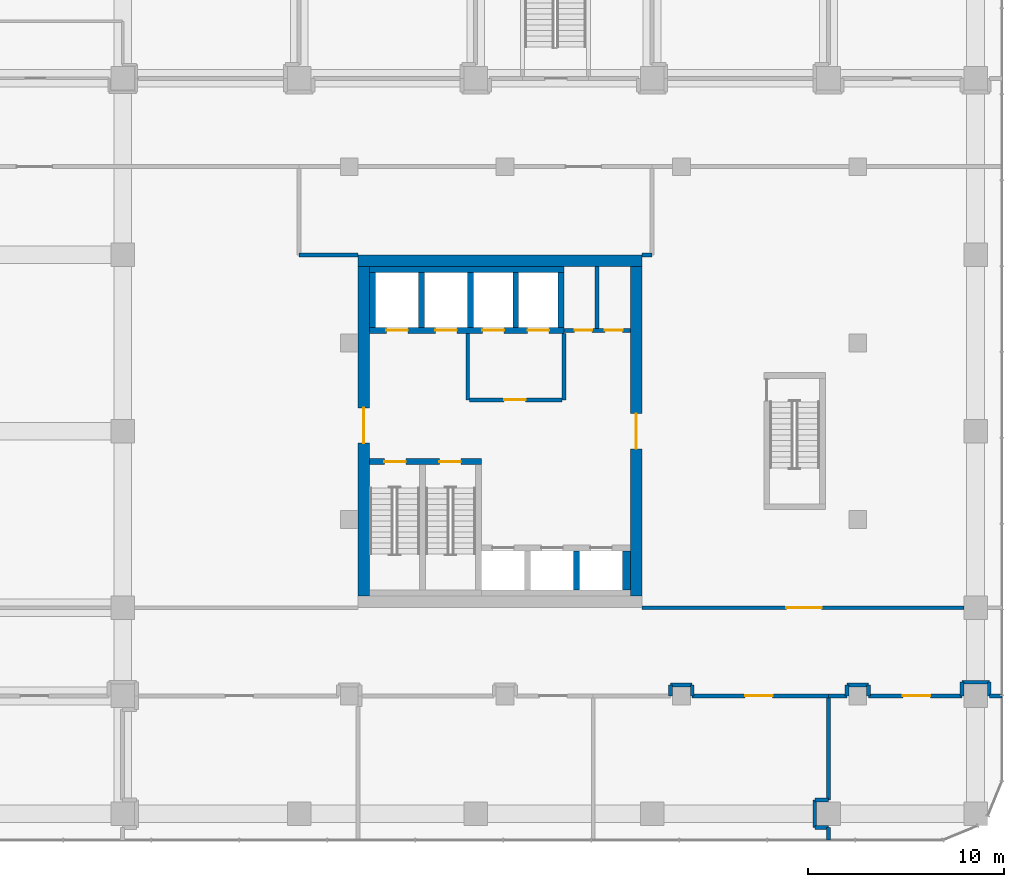
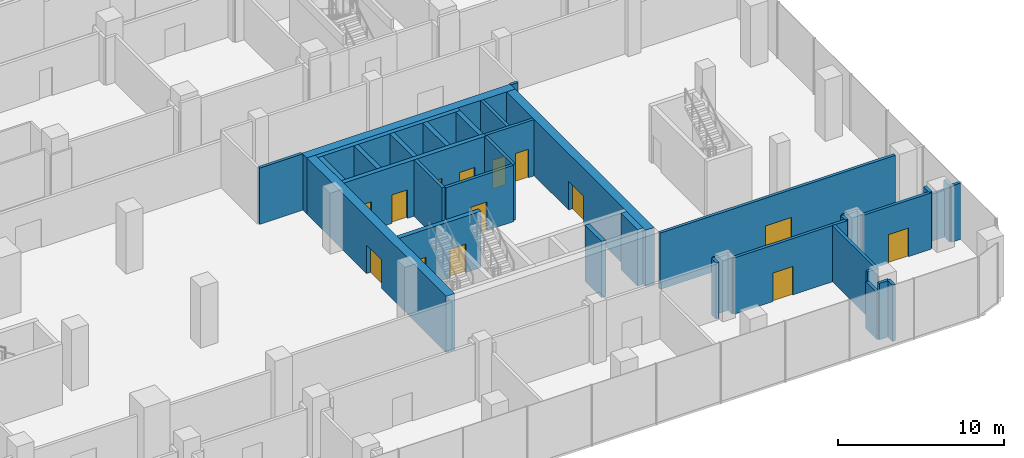
# One storey, part 34 of 43: 39 walls, 14 doors, 14 openings.
"""IFC4 building model written with IfcOpenShell, lengths in metres."""

from ifc_helpers import new_model, si_unit, direction, frame, frame_2d, origin, place, context, subcontext, project, spatial, rectangle, extrude, material, layer, layer_set, type_object, element, fill, save


model = new_model("IFC4")

# Units and contexts
model_context = context("Model", 3, precision=1e-05, world=origin(), true_north=direction((0.0, 1.0)))
body_context = subcontext(model_context, "Body", "Model", "MODEL_VIEW")
ifc_project = project(units=[si_unit("LENGTHUNIT", "METRE"), si_unit("AREAUNIT", "SQUARE_METRE"), si_unit("VOLUMEUNIT", "CUBIC_METRE"), si_unit("PLANEANGLEUNIT", "RADIAN"), si_unit("MASSUNIT", "GRAM", prefix="KILO")], contexts=[model_context])

# Site, building, storey
site_placement = place(None, origin())
site = spatial("IfcSite", under=ifc_project, at=site_placement, CompositionType="ELEMENT")
building_placement = place(site_placement, origin())
building = spatial("IfcBuilding", under=site, at=building_placement, Name="Plateau Cross Towers", CompositionType="ELEMENT")
storey_placement = place(building_placement, frame((0.0, 0.0, 12.800048828125)))
storey = spatial("IfcBuildingStorey", under=building, at=storey_placement, Name="L02", CompositionType="ELEMENT", Elevation=12.800048828125)

# Wall
ifc_material_1 = material(Name="Concrete block, plastered both sides", Category="concrete")
ifc_layer_1 = layer(ifc_material_1, 0.199951171875)
ifc_layer_set_1 = layer_set([ifc_layer_1], Name="Concrete block, plastered both sides")
wall_type_1 = type_object("IfcWallType", Name="Core partition 200", PredefinedType="PARTITIONING", material=ifc_layer_set_1)
wall_1_placement = place(storey_placement, frame((80.60009765625, 10.60009765625, 0.0), z_axis=(0.0, 0.0, 1.0), x_axis=(0.0, 1.0, 0.0)))
element("IfcWall", 1, at=wall_1_placement, inside=storey, type_object=wall_type_1, Name="Core partition", PredefinedType="PARTITIONING", context=body_context, shape_type="SweptSolid", body=[
    extrude(rectangle(XDim=3.39990234375, YDim=0.199951171875, at=frame_2d((1.699951171875, 0.0))), origin(), (0.0, 0.0, 1.0), 4.14990234375),
])

# Wall, opening, door
wall_2_placement = place(storey_placement, frame((80.699951171875, 10.60009765625, 0.0), z_axis=(0.0, 0.0, 1.0), x_axis=(1.0, 0.0, 0.0)))
wall_2 = element("IfcWall", 2, at=wall_2_placement, inside=storey, type_object=wall_type_1, Name="Core partition", PredefinedType="PARTITIONING", context=body_context, shape_type="SweptSolid", body=[
    extrude(rectangle(XDim=4.699951171875, YDim=0.199951171875, at=frame_2d((2.35009765625, 0.0))), origin(), (0.0, 0.0, 1.0), 4.14990234375),
])
opening_1_placement = place(wall_2_placement, frame((1.75, 0.0, 0.0)))
opening_1 = element("IfcOpeningElement", 3, at=opening_1_placement, cuts=wall_2, Name="Opening FFD", PredefinedType="OPENING", context=body_context, shape_type="SweptSolid", body=[
    extrude(rectangle(XDim=1.10009765625, YDim=2.10009765625, at=frame_2d((0.550048828125, 1.050048828125))), frame((0.0, 0.10986328125, 0.0), z_axis=(0.0, -1.0, 0.0), x_axis=(1.0, 0.0, 0.0)), (0.0, 0.0, 1.0), 0.219970703125),
])
ifc_material_2 = material(Name="Steel, fire-resisting leaf", Category="steel")
door_type_1 = type_object("IfcDoorType", Name="Firefighting lobby door 1100", OperationType="NOTDEFINED", PredefinedType="DOOR", material=ifc_material_2)
door_1_placement = place(opening_1_placement, origin())
door_1 = element("IfcDoor", 4, at=door_1_placement, inside=storey, type_object=door_type_1, Name="Firefighting lobby door FFD", OperationType="SINGLE_SWING_LEFT", OverallHeight=2.10009765625, OverallWidth=1.10009765625, PredefinedType="DOOR", context=body_context, shape_type="SweptSolid", body=[
    extrude(rectangle(XDim=1.10009765625, YDim=2.10009765625, at=frame_2d((0.550048828125, 1.050048828125))), frame((0.0, 0.02490234375, 0.0), z_axis=(0.0, -1.0, 0.0), x_axis=(1.0, 0.0, 0.0)), (0.0, 0.0, 1.0), 0.050048828125),
])
fill(opening_1, door_1)

# Wall
wall_3_placement = place(storey_placement, frame((85.5, 10.60009765625, 0.0), z_axis=(0.0, 0.0, 1.0), x_axis=(0.0, 1.0, 0.0)))
element("IfcWall", 5, at=wall_3_placement, inside=storey, type_object=wall_type_1, Name="Core partition", PredefinedType="PARTITIONING", context=body_context, shape_type="SweptSolid", body=[
    extrude(rectangle(XDim=3.39990234375, YDim=0.199951171875, at=frame_2d((1.699951171875, 0.0))), origin(), (0.0, 0.0, 1.0), 4.14990234375),
])

# Wall, openings, doors
wall_4_placement = place(storey_placement, frame((85.5, 14.14990234375, 0.0), z_axis=(0.0, 0.0, 1.0), x_axis=(1.0, 0.0, 0.0)))
wall_4 = element("IfcWall", 6, at=wall_4_placement, inside=storey, type_object=wall_type_1, Name="Core partition", PredefinedType="PARTITIONING", context=body_context, shape_type="SweptSolid", body=[
    extrude(rectangle(XDim=3.39990234375, YDim=0.199951171875, at=frame_2d((1.699951171875, 0.0))), origin(), (0.0, 0.0, 1.0), 4.14990234375),
])
opening_2_placement = place(wall_4_placement, frame((0.550048828125, 0.0, 0.0)))
opening_2 = element("IfcOpeningElement", 7, at=opening_2_placement, cuts=wall_4, Name="Opening RD2", PredefinedType="OPENING", context=body_context, shape_type="SweptSolid", body=[
    extrude(rectangle(XDim=0.89990234375, YDim=2.10009765625, at=frame_2d((0.449951171875, 1.050048828125))), frame((0.0, 0.10986328125, 0.0), z_axis=(0.0, -1.0, 0.0), x_axis=(1.0, 0.0, 0.0)), (0.0, 0.0, 1.0), 0.219970703125),
])
opening_3_placement = place(wall_4_placement, frame((2.10009765625, 0.0, 0.0)))
opening_3 = element("IfcOpeningElement", 8, at=opening_3_placement, cuts=wall_4, Name="Opening RD2", PredefinedType="OPENING", context=body_context, shape_type="SweptSolid", body=[
    extrude(rectangle(XDim=0.89990234375, YDim=2.10009765625, at=frame_2d((0.449951171875, 1.050048828125))), frame((0.0, 0.10986328125, 0.0), z_axis=(0.0, -1.0, 0.0), x_axis=(1.0, 0.0, 0.0)), (0.0, 0.0, 1.0), 0.219970703125),
])
door_type_2 = type_object("IfcDoorType", Name="Core riser door 900", OperationType="NOTDEFINED", PredefinedType="DOOR", material=ifc_material_2)
door_2_placement = place(opening_2_placement, origin())
door_2 = element("IfcDoor", 9, at=door_2_placement, inside=storey, type_object=door_type_2, Name="Core riser door RD2", OperationType="SINGLE_SWING_LEFT", OverallHeight=2.10009765625, OverallWidth=0.89990234375, PredefinedType="DOOR", context=body_context, shape_type="SweptSolid", body=[
    extrude(rectangle(XDim=0.89990234375, YDim=2.10009765625, at=frame_2d((0.449951171875, 1.050048828125))), frame((0.0, 0.02490234375, 0.0), z_axis=(0.0, -1.0, 0.0), x_axis=(1.0, 0.0, 0.0)), (0.0, 0.0, 1.0), 0.050048828125),
])
fill(opening_2, door_2)
door_3_placement = place(opening_3_placement, origin())
door_3 = element("IfcDoor", 10, at=door_3_placement, inside=storey, type_object=door_type_2, Name="Core riser door RD2", OperationType="SINGLE_SWING_LEFT", OverallHeight=2.10009765625, OverallWidth=0.89990234375, PredefinedType="DOOR", context=body_context, shape_type="SweptSolid", body=[
    extrude(rectangle(XDim=0.89990234375, YDim=2.10009765625, at=frame_2d((0.449951171875, 1.050048828125))), frame((0.0, 0.02490234375, 0.0), z_axis=(0.0, -1.0, 0.0), x_axis=(1.0, 0.0, 0.0)), (0.0, 0.0, 1.0), 0.050048828125),
])
fill(opening_3, door_3)

# Wall
wall_5_placement = place(storey_placement, frame((87.199951171875, 14.25, 0.0), z_axis=(0.0, 0.0, 1.0), x_axis=(0.0, 1.0, 0.0)))
element("IfcWall", 11, at=wall_5_placement, inside=storey, type_object=wall_type_1, Name="Core partition", PredefinedType="PARTITIONING", context=body_context, shape_type="SweptSolid", body=[
    extrude(rectangle(XDim=3.14990234375, YDim=0.199951171875, at=frame_2d((1.574951171875, 0.0))), origin(), (0.0, 0.0, 1.0), 4.14990234375),
])

# Wall, openings, doors
ifc_material_3 = material(Name="Concrete C60/75", Category="concrete")
ifc_layer_2 = layer(ifc_material_3, 0.300048828125)
ifc_layer_set_2 = layer_set([ifc_layer_2], Name="Concrete C60/75")
wall_type_2 = type_object("IfcWallType", Name="Core shaft wall 300", PredefinedType="SHEAR", material=ifc_layer_set_2)
wall_6_placement = place(storey_placement, frame((75.60009765625, 7.449951171875, 0.0), z_axis=(0.0, 0.0, 1.0), x_axis=(1.0, 0.0, 0.0)))
wall_6 = element("IfcWall", 12, at=wall_6_placement, inside=storey, type_object=wall_type_2, Name="B-sb-stN@L02", PredefinedType="SHEAR", context=body_context, shape_type="SweptSolid", body=[
    extrude(rectangle(XDim=5.699951171875, YDim=0.300048828125, at=frame_2d((2.85009765625, 0.0))), origin(), (0.0, 0.0, 1.0), 4.14990234375),
])
opening_4_placement = place(wall_6_placement, frame((0.75, 0.0, 0.0)))
opening_4 = element("IfcOpeningElement", 13, at=opening_4_placement, cuts=wall_6, Name="Opening SD", PredefinedType="OPENING", context=body_context, shape_type="SweptSolid", body=[
    extrude(rectangle(XDim=1.10009765625, YDim=2.10009765625, at=frame_2d((0.550048828125, 1.050048828125))), frame((0.0, 0.159912109375, 0.0), z_axis=(0.0, -1.0, 0.0), x_axis=(1.0, 0.0, 0.0)), (0.0, 0.0, 1.0), 0.320068359375),
])
opening_5_placement = place(wall_6_placement, frame((3.550048828125, 0.0, 0.0)))
opening_5 = element("IfcOpeningElement", 14, at=opening_5_placement, cuts=wall_6, Name="Opening SD", PredefinedType="OPENING", context=body_context, shape_type="SweptSolid", body=[
    extrude(rectangle(XDim=1.10009765625, YDim=2.10009765625, at=frame_2d((0.550048828125, 1.050048828125))), frame((0.0, 0.159912109375, 0.0), z_axis=(0.0, -1.0, 0.0), x_axis=(1.0, 0.0, 0.0)), (0.0, 0.0, 1.0), 0.320068359375),
])
door_type_3 = type_object("IfcDoorType", Name="Stair door 1100", OperationType="NOTDEFINED", PredefinedType="DOOR", material=ifc_material_2)
door_4_placement = place(opening_4_placement, origin())
door_4 = element("IfcDoor", 15, at=door_4_placement, inside=storey, type_object=door_type_3, Name="Stair door SD", OperationType="SINGLE_SWING_RIGHT", OverallHeight=2.10009765625, OverallWidth=1.10009765625, PredefinedType="DOOR", context=body_context, shape_type="SweptSolid", body=[
    extrude(rectangle(XDim=1.10009765625, YDim=2.10009765625, at=frame_2d((0.550048828125, 1.050048828125))), frame((0.0, 0.02490234375, 0.0), z_axis=(0.0, -1.0, 0.0), x_axis=(1.0, 0.0, 0.0)), (0.0, 0.0, 1.0), 0.050048828125),
])
fill(opening_4, door_4)
door_5_placement = place(opening_5_placement, origin())
door_5 = element("IfcDoor", 16, at=door_5_placement, inside=storey, type_object=door_type_3, Name="Stair door SD", OperationType="SINGLE_SWING_LEFT", OverallHeight=2.10009765625, OverallWidth=1.10009765625, PredefinedType="DOOR", context=body_context, shape_type="SweptSolid", body=[
    extrude(rectangle(XDim=1.10009765625, YDim=2.10009765625, at=frame_2d((0.550048828125, 1.050048828125))), frame((0.0, 0.02490234375, 0.0), z_axis=(0.0, -1.0, 0.0), x_axis=(1.0, 0.0, 0.0)), (0.0, 0.0, 1.0), 0.050048828125),
])
fill(opening_5, door_5)

# Walls
wall_7_placement = place(storey_placement, frame((86.14990234375, 0.89990234375, 0.0), z_axis=(0.0, 0.0, 1.0), x_axis=(0.0, 1.0, 0.0)))
element("IfcWall", 17, at=wall_7_placement, inside=storey, type_object=wall_type_2, Name="B-sb-v2@L02", PredefinedType="SHEAR", context=body_context, shape_type="SweptSolid", body=[
    extrude(rectangle(XDim=2.0, YDim=0.300048828125, at=frame_2d((1.0, 0.0))), origin(), (0.0, 0.0, 1.0), 4.14990234375),
])
wall_8_placement = place(storey_placement, frame((75.60009765625, 17.25, 0.0), z_axis=(0.0, 0.0, 1.0), x_axis=(1.0, 0.0, 0.0)))
element("IfcWall", 18, at=wall_8_placement, inside=storey, type_object=wall_type_2, Name="B-nb-back@L02", PredefinedType="SHEAR", context=body_context, shape_type="SweptSolid", body=[
    extrude(rectangle(XDim=9.89990234375, YDim=0.300048828125, at=frame_2d((4.949951171875, 0.0))), origin(), (0.0, 0.0, 1.0), 4.14990234375),
])

# Wall, openings, doors
wall_9_placement = place(storey_placement, frame((75.60009765625, 14.14990234375, 0.0), z_axis=(0.0, 0.0, 1.0), x_axis=(1.0, 0.0, 0.0)))
wall_9 = element("IfcWall", 19, at=wall_9_placement, inside=storey, type_object=wall_type_2, Name="B-nb-front@L02", PredefinedType="SHEAR", context=body_context, shape_type="SweptSolid", body=[
    extrude(rectangle(XDim=9.89990234375, YDim=0.300048828125, at=frame_2d((4.949951171875, 0.0))), origin(), (0.0, 0.0, 1.0), 4.14990234375),
])
opening_6_placement = place(wall_9_placement, frame((0.85009765625, 0.0, 0.0)))
opening_6 = element("IfcOpeningElement", 20, at=opening_6_placement, cuts=wall_9, Name="Opening LD", PredefinedType="OPENING", context=body_context, shape_type="SweptSolid", body=[
    extrude(rectangle(XDim=1.10009765625, YDim=2.10009765625, at=frame_2d((0.550048828125, 1.050048828125))), frame((0.0, 0.159912109375, 0.0), z_axis=(0.0, -1.0, 0.0), x_axis=(1.0, 0.0, 0.0)), (0.0, 0.0, 1.0), 0.320068359375),
])
opening_7_placement = place(wall_9_placement, frame((3.35009765625, 0.0, 0.0)))
opening_7 = element("IfcOpeningElement", 21, at=opening_7_placement, cuts=wall_9, Name="Opening LD", PredefinedType="OPENING", context=body_context, shape_type="SweptSolid", body=[
    extrude(rectangle(XDim=1.10009765625, YDim=2.10009765625, at=frame_2d((0.550048828125, 1.050048828125))), frame((0.0, 0.159912109375, 0.0), z_axis=(0.0, -1.0, 0.0), x_axis=(1.0, 0.0, 0.0)), (0.0, 0.0, 1.0), 0.320068359375),
])
opening_8_placement = place(wall_9_placement, frame((5.75, 0.0, 0.0)))
opening_8 = element("IfcOpeningElement", 22, at=opening_8_placement, cuts=wall_9, Name="Opening LD", PredefinedType="OPENING", context=body_context, shape_type="SweptSolid", body=[
    extrude(rectangle(XDim=1.10009765625, YDim=2.10009765625, at=frame_2d((0.550048828125, 1.050048828125))), frame((0.0, 0.159912109375, 0.0), z_axis=(0.0, -1.0, 0.0), x_axis=(1.0, 0.0, 0.0)), (0.0, 0.0, 1.0), 0.320068359375),
])
opening_9_placement = place(wall_9_placement, frame((8.050048828125, 0.0, 0.0)))
opening_9 = element("IfcOpeningElement", 23, at=opening_9_placement, cuts=wall_9, Name="Opening LD", PredefinedType="OPENING", context=body_context, shape_type="SweptSolid", body=[
    extrude(rectangle(XDim=1.10009765625, YDim=2.10009765625, at=frame_2d((0.550048828125, 1.050048828125))), frame((0.0, 0.159912109375, 0.0), z_axis=(0.0, -1.0, 0.0), x_axis=(1.0, 0.0, 0.0)), (0.0, 0.0, 1.0), 0.320068359375),
])
ifc_material_4 = material(Name="Stainless steel, fire-resisting sliding leaves", Category="steel")
door_type_4 = type_object("IfcDoorType", Name="Lift landing door 1100", OperationType="NOTDEFINED", PredefinedType="DOOR", material=ifc_material_4)
door_6_placement = place(opening_6_placement, origin())
door_6 = element("IfcDoor", 24, at=door_6_placement, inside=storey, type_object=door_type_4, Name="Lift landing door LD", OperationType="DOUBLE_DOOR_SLIDING", OverallHeight=2.10009765625, OverallWidth=1.10009765625, PredefinedType="DOOR", context=body_context, shape_type="SweptSolid", body=[
    extrude(rectangle(XDim=1.10009765625, YDim=2.10009765625, at=frame_2d((0.550048828125, 1.050048828125))), frame((0.0, 0.02490234375, 0.0), z_axis=(0.0, -1.0, 0.0), x_axis=(1.0, 0.0, 0.0)), (0.0, 0.0, 1.0), 0.050048828125),
])
fill(opening_6, door_6)
door_7_placement = place(opening_7_placement, origin())
door_7 = element("IfcDoor", 25, at=door_7_placement, inside=storey, type_object=door_type_4, Name="Lift landing door LD", OperationType="DOUBLE_DOOR_SLIDING", OverallHeight=2.10009765625, OverallWidth=1.10009765625, PredefinedType="DOOR", context=body_context, shape_type="SweptSolid", body=[
    extrude(rectangle(XDim=1.10009765625, YDim=2.10009765625, at=frame_2d((0.550048828125, 1.050048828125))), frame((0.0, 0.02490234375, 0.0), z_axis=(0.0, -1.0, 0.0), x_axis=(1.0, 0.0, 0.0)), (0.0, 0.0, 1.0), 0.050048828125),
])
fill(opening_7, door_7)
door_8_placement = place(opening_8_placement, origin())
door_8 = element("IfcDoor", 26, at=door_8_placement, inside=storey, type_object=door_type_4, Name="Lift landing door LD", OperationType="DOUBLE_DOOR_SLIDING", OverallHeight=2.10009765625, OverallWidth=1.10009765625, PredefinedType="DOOR", context=body_context, shape_type="SweptSolid", body=[
    extrude(rectangle(XDim=1.10009765625, YDim=2.10009765625, at=frame_2d((0.550048828125, 1.050048828125))), frame((0.0, 0.02490234375, 0.0), z_axis=(0.0, -1.0, 0.0), x_axis=(1.0, 0.0, 0.0)), (0.0, 0.0, 1.0), 0.050048828125),
])
fill(opening_8, door_8)
door_9_placement = place(opening_9_placement, origin())
door_9 = element("IfcDoor", 27, at=door_9_placement, inside=storey, type_object=door_type_4, Name="Lift landing door LD", OperationType="DOUBLE_DOOR_SLIDING", OverallHeight=2.10009765625, OverallWidth=1.10009765625, PredefinedType="DOOR", context=body_context, shape_type="SweptSolid", body=[
    extrude(rectangle(XDim=1.10009765625, YDim=2.10009765625, at=frame_2d((0.550048828125, 1.050048828125))), frame((0.0, 0.02490234375, 0.0), z_axis=(0.0, -1.0, 0.0), x_axis=(1.0, 0.0, 0.0)), (0.0, 0.0, 1.0), 0.050048828125),
])
fill(opening_9, door_9)

# Walls
for number, where, z_axis, x_axis, name in (
    (28, (75.75, 14.300048828125, 0.0), (0.0, 0.0, 1.0), (0.0, 1.0, 0.0), "B-nb-v0@L02"),
    (29, (78.25, 14.300048828125, 0.0), (0.0, 0.0, 1.0), (0.0, 1.0, 0.0), "B-nb-v1@L02"),
    (30, (80.75, 14.300048828125, 0.0), (0.0, 0.0, 1.0), (0.0, 1.0, 0.0), "B-nb-v2@L02"),
    (31, (83.050048828125, 14.300048828125, 0.0), (0.0, 0.0, 1.0), (0.0, 1.0, 0.0), "B-nb-v3@L02"),
    (32, (85.35009765625, 14.300048828125, 0.0), (0.0, 0.0, 1.0), (0.0, 1.0, 0.0), "B-nb-v4@L02"),
):
    element("IfcWall", number, at=place(storey_placement, frame(where, z_axis=z_axis, x_axis=x_axis)), inside=storey, type_object=wall_type_2, Name=name, PredefinedType="SHEAR", context=body_context, shape_type="SweptSolid", body=[
        extrude(rectangle(XDim=2.800048828125, YDim=0.300048828125, at=frame_2d((1.39990234375, 0.0))), origin(), (0.0, 0.0, 1.0), 4.14990234375),
    ])
ifc_layer_3 = layer(ifc_material_3, 0.39990234375)
ifc_layer_set_3 = layer_set([ifc_layer_3], Name="Concrete C60/75")
wall_type_3 = type_object("IfcWallType", Name="Core shaft wall 400", PredefinedType="SHEAR", material=ifc_layer_set_3)
wall_10_placement = place(storey_placement, frame((88.699951171875, 0.89990234375, 0.0), z_axis=(0.0, 0.0, 1.0), x_axis=(0.0, 1.0, 0.0)))
element("IfcWall", 33, at=wall_10_placement, inside=storey, type_object=wall_type_3, Name="B-sb-v3@L02", PredefinedType="SHEAR", context=body_context, shape_type="SweptSolid", body=[
    extrude(rectangle(XDim=2.0, YDim=0.39990234375, at=frame_2d((1.0, 0.0))), origin(), (0.0, 0.0, 1.0), 4.14990234375),
])
ifc_layer_4 = layer(ifc_material_3, 0.60009765625)
ifc_layer_set_4 = layer_set([ifc_layer_4], Name="Concrete C60/75")
wall_type_4 = type_object("IfcWallType", Name="Core shell wall 600", PredefinedType="SHEAR", material=ifc_layer_set_4)
wall_11_placement = place(storey_placement, frame((75.0, 17.699951171875, 0.0), z_axis=(0.0, 0.0, 1.0), x_axis=(1.0, 0.0, 0.0)))
element("IfcWall", 34, at=wall_11_placement, inside=storey, type_object=wall_type_4, Name="B-core-N@L02", PredefinedType="SHEAR", context=body_context, shape_type="SweptSolid", body=[
    extrude(rectangle(XDim=14.5, YDim=0.60009765625, at=frame_2d((7.25, 0.0))), origin(), (0.0, 0.0, 1.0), 4.14990234375),
])

# Wall, opening, door
wall_12_placement = place(storey_placement, frame((75.300048828125, 0.60009765625, 0.0), z_axis=(0.0, 0.0, 1.0), x_axis=(0.0, 1.0, 0.0)))
wall_12 = element("IfcWall", 35, at=wall_12_placement, inside=storey, type_object=wall_type_4, Name="B-core-W@L02", PredefinedType="SHEAR", context=body_context, shape_type="SweptSolid", body=[
    extrude(rectangle(XDim=16.7998046875, YDim=0.60009765625, at=frame_2d((8.39990234375, 0.0))), origin(), (0.0, 0.0, 1.0), 4.14990234375),
])
opening_10_placement = place(wall_12_placement, frame((7.800048828125, 0.0, 0.0)))
opening_10 = element("IfcOpeningElement", 36, at=opening_10_placement, cuts=wall_12, Name="Opening CD", PredefinedType="OPENING", context=body_context, shape_type="SweptSolid", body=[
    extrude(rectangle(XDim=1.800048828125, YDim=2.10009765625, at=frame_2d((0.89990234375, 1.050048828125))), frame((0.0, 0.31005859375, 0.0), z_axis=(0.0, -1.0, 0.0), x_axis=(1.0, 0.0, 0.0)), (0.0, 0.0, 1.0), 0.6201171875),
])
ifc_material_5 = material(Name="Steel, fire-resisting leaves", Category="steel")
door_type_5 = type_object("IfcDoorType", Name="Corridor door pair 1800", OperationType="NOTDEFINED", PredefinedType="DOOR", material=ifc_material_5)
door_10_placement = place(opening_10_placement, origin())
door_10 = element("IfcDoor", 37, at=door_10_placement, inside=storey, type_object=door_type_5, Name="Corridor door pair CD", OperationType="DOUBLE_DOOR_SINGLE_SWING", OverallHeight=2.10009765625, OverallWidth=1.800048828125, PredefinedType="DOOR", context=body_context, shape_type="SweptSolid", body=[
    extrude(rectangle(XDim=1.800048828125, YDim=2.10009765625, at=frame_2d((0.89990234375, 1.050048828125))), frame((0.0, 0.02490234375, 0.0), z_axis=(0.0, -1.0, 0.0), x_axis=(1.0, 0.0, 0.0)), (0.0, 0.0, 1.0), 0.050048828125),
])
fill(opening_10, door_10)

wall_13_placement = place(storey_placement, frame((89.199951171875, 0.60009765625, 0.0), z_axis=(0.0, 0.0, 1.0), x_axis=(0.0, 1.0, 0.0)))
wall_13 = element("IfcWall", 38, at=wall_13_placement, inside=storey, type_object=wall_type_4, Name="B-core-E@L02", PredefinedType="SHEAR", context=body_context, shape_type="SweptSolid", body=[
    extrude(rectangle(XDim=16.7998046875, YDim=0.60009765625, at=frame_2d((8.39990234375, 0.0))), origin(), (0.0, 0.0, 1.0), 4.14990234375),
])
opening_11_placement = place(wall_13_placement, frame((7.5, 0.0, 0.0)))
opening_11 = element("IfcOpeningElement", 39, at=opening_11_placement, cuts=wall_13, Name="Opening CD", PredefinedType="OPENING", context=body_context, shape_type="SweptSolid", body=[
    extrude(rectangle(XDim=1.800048828125, YDim=2.10009765625, at=frame_2d((0.89990234375, 1.050048828125))), frame((0.0, 0.31005859375, 0.0), z_axis=(0.0, -1.0, 0.0), x_axis=(1.0, 0.0, 0.0)), (0.0, 0.0, 1.0), 0.6201171875),
])
door_11_placement = place(opening_11_placement, origin())
door_11 = element("IfcDoor", 40, at=door_11_placement, inside=storey, type_object=door_type_5, Name="Corridor door pair CD", OperationType="DOUBLE_DOOR_SINGLE_SWING", OverallHeight=2.10009765625, OverallWidth=1.800048828125, PredefinedType="DOOR", context=body_context, shape_type="SweptSolid", body=[
    extrude(rectangle(XDim=1.800048828125, YDim=2.10009765625, at=frame_2d((0.89990234375, 1.050048828125))), frame((0.0, 0.02490234375, 0.0), z_axis=(0.0, -1.0, 0.0), x_axis=(1.0, 0.0, 0.0)), (0.0, 0.0, 1.0), 0.050048828125),
])
fill(opening_11, door_11)

ifc_material_6 = material(Name="Gypsum board on steel studs", Category="steel")
ifc_layer_5 = layer(ifc_material_6, 0.199951171875)
ifc_layer_set_5 = layer_set([ifc_layer_5], Name="Gypsum board on steel studs")
wall_type_5 = type_object("IfcWallType", Name="Podium partition 200", PredefinedType="PARTITIONING", material=ifc_layer_set_5)
wall_14_placement = place(storey_placement, frame((89.5, 0.0, 0.0), z_axis=(0.0, 0.0, 1.0), x_axis=(1.0, 0.0, 0.0)))
wall_14 = element("IfcWall", 41, at=wall_14_placement, inside=storey, type_object=wall_type_5, Name="Partition wall", PredefinedType="PARTITIONING", context=body_context, shape_type="SweptSolid", body=[
    extrude(rectangle(XDim=16.39990234375, YDim=0.199951171875, at=frame_2d((8.199951171875, 0.0))), origin(), (0.0, 0.0, 1.0), 4.14990234375),
])
opening_12_placement = place(wall_14_placement, frame((7.35009765625, 0.0, 0.0)))
opening_12 = element("IfcOpeningElement", 42, at=opening_12_placement, cuts=wall_14, Name="Opening 02-39", PredefinedType="OPENING", context=body_context, shape_type="SweptSolid", body=[
    extrude(rectangle(XDim=1.800048828125, YDim=2.10009765625, at=frame_2d((0.89990234375, 1.050048828125))), frame((0.0, 0.10986328125, 0.0), z_axis=(0.0, -1.0, 0.0), x_axis=(1.0, 0.0, 0.0)), (0.0, 0.0, 1.0), 0.219970703125),
])
ifc_material_7 = material(Name="Aluminium frame, toughened glass", Category="aluminium")
door_type_6 = type_object("IfcDoorType", Name="Podium door pair 1800", OperationType="NOTDEFINED", PredefinedType="DOOR", material=ifc_material_7)
door_12_placement = place(opening_12_placement, origin())
door_12 = element("IfcDoor", 43, at=door_12_placement, inside=storey, type_object=door_type_6, Name="Door 02-39", OperationType="DOUBLE_DOOR_SINGLE_SWING", OverallHeight=2.10009765625, OverallWidth=1.800048828125, PredefinedType="DOOR", context=body_context, shape_type="SweptSolid", body=[
    extrude(rectangle(XDim=1.800048828125, YDim=2.10009765625, at=frame_2d((0.89990234375, 1.050048828125))), frame((0.0, 0.02490234375, 0.0), z_axis=(0.0, -1.0, 0.0), x_axis=(1.0, 0.0, 0.0)), (0.0, 0.0, 1.0), 0.050048828125),
])
fill(opening_12, door_12)

wall_15_placement = place(storey_placement, frame((99.0, -4.5, 0.0), z_axis=(0.0, 0.0, 1.0), x_axis=(-1.0, 0.0, 0.0)))
wall_15 = element("IfcWall", 44, at=wall_15_placement, inside=storey, type_object=wall_type_5, Name="Partition wall", PredefinedType="PARTITIONING", context=body_context, shape_type="SweptSolid", body=[
    extrude(rectangle(XDim=6.949951171875, YDim=0.199951171875, at=frame_2d((3.47509765625, 0.0))), origin(), (0.0, 0.0, 1.0), 4.14990234375),
])
opening_13_placement = place(wall_15_placement, frame((2.85009765625, 0.0, 0.0)))
opening_13 = element("IfcOpeningElement", 45, at=opening_13_placement, cuts=wall_15, Name="Opening 02-16", PredefinedType="OPENING", context=body_context, shape_type="SweptSolid", body=[
    extrude(rectangle(XDim=1.39990234375, YDim=2.10009765625, at=frame_2d((0.699951171875, 1.050048828125))), frame((0.0, 0.10986328125, 0.0), z_axis=(0.0, -1.0, 0.0), x_axis=(1.0, 0.0, 0.0)), (0.0, 0.0, 1.0), 0.219970703125),
])
ifc_material_8 = material(Name="Timber, hospital grade leaf", Category="wood")
door_type_7 = type_object("IfcDoorType", Name="Clinic bed access door 1400x2100", OperationType="NOTDEFINED", PredefinedType="DOOR", material=ifc_material_8)
door_13_placement = place(opening_13_placement, origin())
door_13 = element("IfcDoor", 46, at=door_13_placement, inside=storey, type_object=door_type_7, Name="Door 02-16", OperationType="SINGLE_SWING_LEFT", OverallHeight=2.10009765625, OverallWidth=1.39990234375, PredefinedType="DOOR", context=body_context, shape_type="SweptSolid", body=[
    extrude(rectangle(XDim=1.39990234375, YDim=2.10009765625, at=frame_2d((0.699951171875, 1.050048828125))), frame((0.0, 0.02490234375, 0.0), z_axis=(0.0, -1.0, 0.0), x_axis=(1.0, 0.0, 0.0)), (0.0, 0.0, 1.0), 0.050048828125),
])
fill(opening_13, door_13)

# Walls
wall_16_placement = place(storey_placement, frame((92.050048828125, -4.5, 0.0), z_axis=(0.0, 0.0, 1.0), x_axis=(0.0, 1.0, 0.0)))
element("IfcWall", 47, at=wall_16_placement, inside=storey, type_object=wall_type_5, Name="Partition wall", PredefinedType="PARTITIONING", context=body_context, shape_type="SweptSolid", body=[
    extrude(rectangle(XDim=0.550048828125, YDim=0.199951171875, at=frame_2d((0.27490234375, 0.0))), origin(), (0.0, 0.0, 1.0), 4.14990234375),
])
wall_17_placement = place(storey_placement, frame((92.050048828125, -3.949951171875, 0.0), z_axis=(0.0, 0.0, 1.0), x_axis=(-1.0, 0.0, 0.0)))
element("IfcWall", 48, at=wall_17_placement, inside=storey, type_object=wall_type_5, Name="Partition wall", PredefinedType="PARTITIONING", context=body_context, shape_type="SweptSolid", body=[
    extrude(rectangle(XDim=1.10009765625, YDim=0.199951171875, at=frame_2d((0.550048828125, 0.0))), origin(), (0.0, 0.0, 1.0), 4.14990234375),
])
wall_18_placement = place(storey_placement, frame((90.949951171875, -3.949951171875, 0.0), z_axis=(0.0, 0.0, 1.0), x_axis=(0.0, -1.0, 0.0)))
element("IfcWall", 49, at=wall_18_placement, inside=storey, type_object=wall_type_5, Name="Partition wall", PredefinedType="PARTITIONING", context=body_context, shape_type="SweptSolid", body=[
    extrude(rectangle(XDim=0.550048828125, YDim=0.199951171875, at=frame_2d((0.27490234375, 0.0))), origin(), (0.0, 0.0, 1.0), 4.14990234375),
])
wall_19_placement = place(storey_placement, frame((107.85009765625, -4.5, 0.0), z_axis=(0.0, 0.0, 1.0), x_axis=(-1.0, 0.0, 0.0)))
element("IfcWall", 50, at=wall_19_placement, inside=storey, type_object=wall_type_5, Name="Partition wall", PredefinedType="PARTITIONING", context=body_context, shape_type="SweptSolid", body=[
    extrude(rectangle(XDim=0.650146484375, YDim=0.199951171875, at=frame_2d((0.3251953125, 0.0))), origin(), (0.0, 0.0, 1.0), 4.14990234375),
])
wall_20_placement = place(storey_placement, frame((107.199951171875, -4.5, 0.0), z_axis=(0.0, 0.0, 1.0), x_axis=(0.0, 1.0, 0.0)))
element("IfcWall", 51, at=wall_20_placement, inside=storey, type_object=wall_type_5, Name="Partition wall", PredefinedType="PARTITIONING", context=body_context, shape_type="SweptSolid", body=[
    extrude(rectangle(XDim=0.699951171875, YDim=0.199951171875, at=frame_2d((0.35009765625, 0.0))), origin(), (0.0, 0.0, 1.0), 4.14990234375),
])
wall_21_placement = place(storey_placement, frame((107.199951171875, -3.800048828125, 0.0), z_axis=(0.0, 0.0, 1.0), x_axis=(-1.0, 0.0, 0.0)))
element("IfcWall", 52, at=wall_21_placement, inside=storey, type_object=wall_type_5, Name="Partition wall", PredefinedType="PARTITIONING", context=body_context, shape_type="SweptSolid", body=[
    extrude(rectangle(XDim=1.39990234375, YDim=0.199951171875, at=frame_2d((0.699951171875, 0.0))), origin(), (0.0, 0.0, 1.0), 3.449951171875),
])
wall_22_placement = place(storey_placement, frame((105.800048828125, -3.800048828125, 0.0), z_axis=(0.0, 0.0, 1.0), x_axis=(0.0, -1.0, 0.0)))
element("IfcWall", 53, at=wall_22_placement, inside=storey, type_object=wall_type_5, Name="Partition wall", PredefinedType="PARTITIONING", context=body_context, shape_type="SweptSolid", body=[
    extrude(rectangle(XDim=0.699951171875, YDim=0.199951171875, at=frame_2d((0.35009765625, 0.0))), origin(), (0.0, 0.0, 1.0), 4.14990234375),
])

# Wall, opening, door
wall_23_placement = place(storey_placement, frame((105.800048828125, -4.5, 0.0), z_axis=(0.0, 0.0, 1.0), x_axis=(-1.0, 0.0, 0.0)))
wall_23 = element("IfcWall", 54, at=wall_23_placement, inside=storey, type_object=wall_type_5, Name="Partition wall", PredefinedType="PARTITIONING", context=body_context, shape_type="SweptSolid", body=[
    extrude(rectangle(XDim=4.75, YDim=0.199951171875, at=frame_2d((2.375, 0.0))), origin(), (0.0, 0.0, 1.0), 4.14990234375),
])
opening_14_placement = place(wall_23_placement, frame((1.60009765625, 0.0, 0.0)))
opening_14 = element("IfcOpeningElement", 55, at=opening_14_placement, cuts=wall_23, Name="Opening 02-17", PredefinedType="OPENING", context=body_context, shape_type="SweptSolid", body=[
    extrude(rectangle(XDim=1.39990234375, YDim=2.10009765625, at=frame_2d((0.699951171875, 1.050048828125))), frame((0.0, 0.10986328125, 0.0), z_axis=(0.0, -1.0, 0.0), x_axis=(1.0, 0.0, 0.0)), (0.0, 0.0, 1.0), 0.219970703125),
])
door_14_placement = place(opening_14_placement, origin())
door_14 = element("IfcDoor", 56, at=door_14_placement, inside=storey, type_object=door_type_7, Name="Door 02-17", OperationType="SINGLE_SWING_LEFT", OverallHeight=2.10009765625, OverallWidth=1.39990234375, PredefinedType="DOOR", context=body_context, shape_type="SweptSolid", body=[
    extrude(rectangle(XDim=1.39990234375, YDim=2.10009765625, at=frame_2d((0.699951171875, 1.050048828125))), frame((0.0, 0.02490234375, 0.0), z_axis=(0.0, -1.0, 0.0), x_axis=(1.0, 0.0, 0.0)), (0.0, 0.0, 1.0), 0.050048828125),
])
fill(opening_14, door_14)

# Walls
wall_24_placement = place(storey_placement, frame((101.050048828125, -4.5, 0.0), z_axis=(0.0, 0.0, 1.0), x_axis=(0.0, 1.0, 0.0)))
element("IfcWall", 57, at=wall_24_placement, inside=storey, type_object=wall_type_5, Name="Partition wall", PredefinedType="PARTITIONING", context=body_context, shape_type="SweptSolid", body=[
    extrude(rectangle(XDim=0.550048828125, YDim=0.199951171875, at=frame_2d((0.27490234375, 0.0))), origin(), (0.0, 0.0, 1.0), 4.14990234375),
])
wall_25_placement = place(storey_placement, frame((101.050048828125, -3.949951171875, 0.0), z_axis=(0.0, 0.0, 1.0), x_axis=(-1.0, 0.0, 0.0)))
element("IfcWall", 58, at=wall_25_placement, inside=storey, type_object=wall_type_5, Name="Partition wall", PredefinedType="PARTITIONING", context=body_context, shape_type="SweptSolid", body=[
    extrude(rectangle(XDim=1.10009765625, YDim=0.199951171875, at=frame_2d((0.550048828125, 0.0))), origin(), (0.0, 0.0, 1.0), 4.14990234375),
])
wall_26_placement = place(storey_placement, frame((99.949951171875, -3.949951171875, 0.0), z_axis=(0.0, 0.0, 1.0), x_axis=(0.0, -1.0, 0.0)))
element("IfcWall", 59, at=wall_26_placement, inside=storey, type_object=wall_type_5, Name="Partition wall", PredefinedType="PARTITIONING", context=body_context, shape_type="SweptSolid", body=[
    extrude(rectangle(XDim=0.550048828125, YDim=0.199951171875, at=frame_2d((0.27490234375, 0.0))), origin(), (0.0, 0.0, 1.0), 4.14990234375),
])
wall_27_placement = place(storey_placement, frame((99.949951171875, -4.5, 0.0), z_axis=(0.0, 0.0, 1.0), x_axis=(-1.0, 0.0, 0.0)))
element("IfcWall", 60, at=wall_27_placement, inside=storey, type_object=wall_type_5, Name="Partition wall", PredefinedType="PARTITIONING", context=body_context, shape_type="SweptSolid", body=[
    extrude(rectangle(XDim=0.949951171875, YDim=0.199951171875, at=frame_2d((0.47509765625, 0.0))), origin(), (0.0, 0.0, 1.0), 4.14990234375),
])
wall_28_placement = place(storey_placement, frame((99.0, -4.60009765625, 0.0), z_axis=(0.0, 0.0, 1.0), x_axis=(0.0, -1.0, 0.0)))
element("IfcWall", 61, at=wall_28_placement, inside=storey, type_object=wall_type_5, Name="Partition wall", PredefinedType="PARTITIONING", context=body_context, shape_type="SweptSolid", body=[
    extrude(rectangle(XDim=5.199951171875, YDim=0.199951171875, at=frame_2d((2.60009765625, 0.0))), origin(), (0.0, 0.0, 1.0), 4.14990234375),
])
wall_29_placement = place(storey_placement, frame((99.0, -9.800048828125, 0.0), z_axis=(0.0, 0.0, 1.0), x_axis=(-1.0, 0.0, 0.0)))
element("IfcWall", 62, at=wall_29_placement, inside=storey, type_object=wall_type_5, Name="Partition wall", PredefinedType="PARTITIONING", context=body_context, shape_type="SweptSolid", body=[
    extrude(rectangle(XDim=0.699951171875, YDim=0.199951171875, at=frame_2d((0.35009765625, 0.0))), origin(), (0.0, 0.0, 1.0), 4.14990234375),
])
wall_30_placement = place(storey_placement, frame((98.300048828125, -9.800048828125, 0.0), z_axis=(0.0, 0.0, 1.0), x_axis=(0.0, -1.0, 0.0)))
element("IfcWall", 63, at=wall_30_placement, inside=storey, type_object=wall_type_5, Name="Partition wall", PredefinedType="PARTITIONING", context=body_context, shape_type="SweptSolid", body=[
    extrude(rectangle(XDim=1.39990234375, YDim=0.199951171875, at=frame_2d((0.699951171875, 0.0))), origin(), (0.0, 0.0, 1.0), 3.449951171875),
])
wall_31_placement = place(storey_placement, frame((98.300048828125, -11.199951171875, 0.0), z_axis=(0.0, 0.0, 1.0), x_axis=(1.0, 0.0, 0.0)))
element("IfcWall", 64, at=wall_31_placement, inside=storey, type_object=wall_type_5, Name="Partition wall", PredefinedType="PARTITIONING", context=body_context, shape_type="SweptSolid", body=[
    extrude(rectangle(XDim=0.699951171875, YDim=0.199951171875, at=frame_2d((0.35009765625, 0.0))), origin(), (0.0, 0.0, 1.0), 4.14990234375),
])
wall_32_placement = place(storey_placement, frame((99.0, -11.199951171875, 0.0), z_axis=(0.0, 0.0, 1.0), x_axis=(0.0, -1.0, 0.0)))
element("IfcWall", 65, at=wall_32_placement, inside=storey, type_object=wall_type_5, Name="Partition wall", PredefinedType="PARTITIONING", context=body_context, shape_type="SweptSolid", body=[
    extrude(rectangle(XDim=0.650146484375, YDim=0.199951171875, at=frame_2d((0.3251953125, 0.0))), origin(), (0.0, 0.0, 1.0), 4.14990234375),
])
wall_33_placement = place(storey_placement, frame((75.0, 18.0, 0.0), z_axis=(0.0, 0.0, 1.0), x_axis=(-1.0, 0.0, 0.0)))
element("IfcWall", 66, at=wall_33_placement, inside=storey, type_object=wall_type_5, Name="Partition wall", PredefinedType="PARTITIONING", context=body_context, shape_type="SweptSolid", body=[
    extrude(rectangle(XDim=3.0, YDim=0.199951171875, at=frame_2d((1.5, 0.0))), origin(), (0.0, 0.0, 1.0), 4.14990234375),
])
wall_34_placement = place(storey_placement, frame((90.0, 18.0, 0.0), z_axis=(0.0, 0.0, 1.0), x_axis=(-1.0, 0.0, 0.0)))
element("IfcWall", 67, at=wall_34_placement, inside=storey, type_object=wall_type_5, Name="Partition wall", PredefinedType="PARTITIONING", context=body_context, shape_type="SweptSolid", body=[
    extrude(rectangle(XDim=0.5, YDim=0.199951171875, at=frame_2d((0.25, 0.0))), origin(), (0.0, 0.0, 1.0), 4.14990234375),
])

save(model, "model.ifc")
